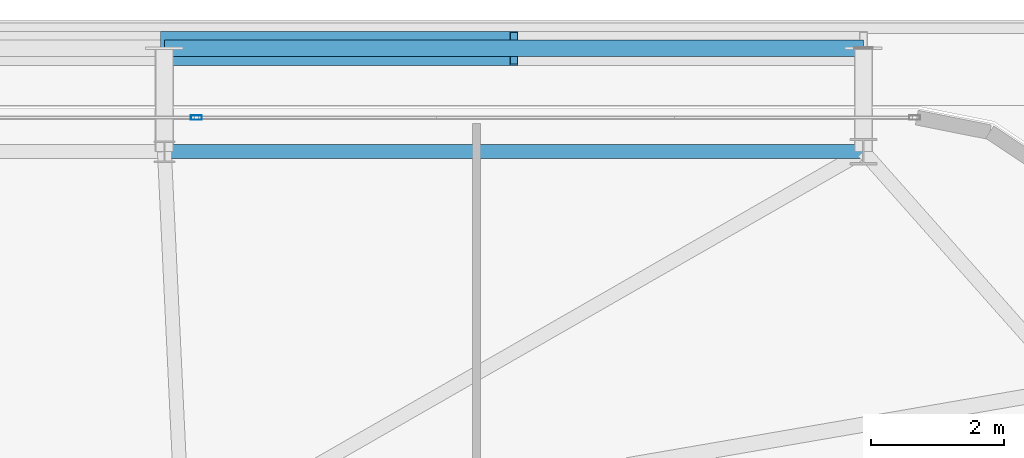
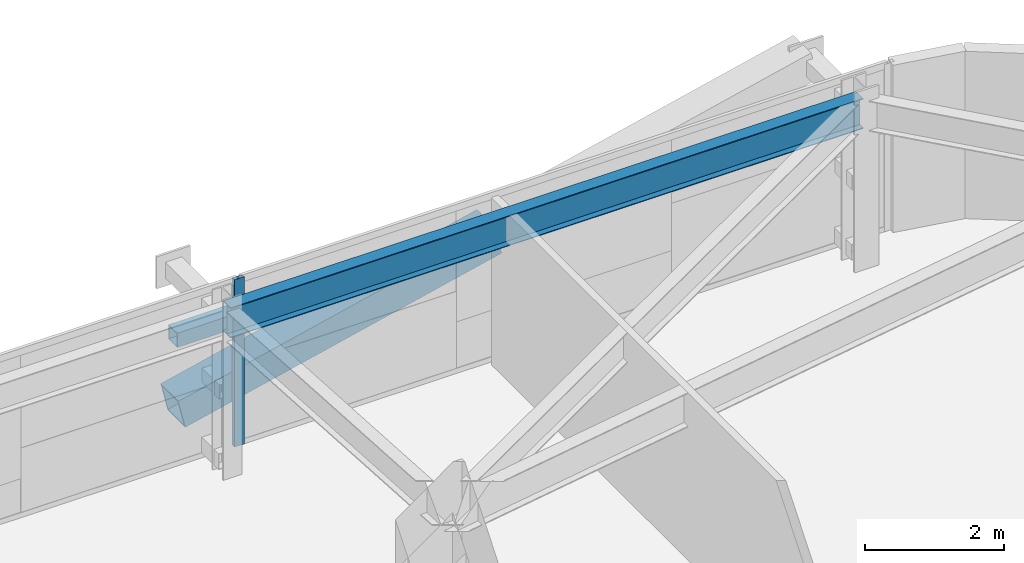
# One storey, part 30 of 56: 3 members, 1 beam, 1 element without a shape of its own.
"""IFC4 building model written with IfcOpenShell, lengths in metres."""

from ifc_helpers import new_model, si_unit, direction, frame, origin, origin_2d, place, context, subcontext, project, spatial, hollow_rectangle, i_section, extrude, source, transform, mapped, material, layer, layer_set, material_profile, profile_set, type_object, element, aggregate, save


model = new_model("IFC4")

# Units and contexts
model_context = context("Model", 3, precision=1e-05, world=origin(), true_north=direction((0.0, 1.0)))
body_context = subcontext(model_context, "Body", "Model", "MODEL_VIEW")
ifc_project = project(units=[si_unit("LENGTHUNIT", "METRE"), si_unit("AREAUNIT", "SQUARE_METRE"), si_unit("VOLUMEUNIT", "CUBIC_METRE"), si_unit("PLANEANGLEUNIT", "RADIAN"), si_unit("MASSUNIT", "GRAM", prefix="KILO")], contexts=[model_context])

# Site, building, storey
site_placement = place(None, origin())
site = spatial("IfcSite", under=ifc_project, at=site_placement, CompositionType="ELEMENT")
building_placement = place(site_placement, origin())
building = spatial("IfcBuilding", under=site, at=building_placement, Name="Taldren Reach Tower", CompositionType="ELEMENT")
storey_placement = place(building_placement, frame((0.0, 0.0, 16.800048828125)))
storey = spatial("IfcBuildingStorey", under=building, at=storey_placement, Name="L04", CompositionType="ELEMENT", Elevation=16.800048828125)

# Beam
ifc_material_1 = material(Name="Steel Gr 350 (350PLUS)", Category="steel")
ifc_material_profile_1 = material_profile(ifc_material_1, i_section(OverallWidth=0.208984375, OverallDepth=0.528076171875, WebThickness=0.009521484375, FlangeThickness=0.01318359375, at=origin_2d()), Name="530UB82.0")
ifc_profile_set_1 = profile_set([ifc_material_profile_1], Name="Steel Gr 350 (350PLUS)")
beam_type = type_object("IfcBeamType", Name="SP-UB530B", PredefinedType="SPANDREL", material=ifc_profile_set_1)
shared_shape_1 = source(origin(), body_context, "Body", "SweptSolid", [
    extrude(i_section(OverallWidth=0.208984375, OverallDepth=0.528076171875, WebThickness=0.009521484375, FlangeThickness=0.01318359375, at=origin_2d()), origin(), (0.0, 0.0, 1.0), 10.47998046875),
])
beam_placement = place(storey_placement, frame((61.199951171875, 37.85009765625, 2.666015625), z_axis=(-1.0, 0.0, 0.0), x_axis=(0.0, -1.0, 0.0)))
element("IfcBeam", 1, at=beam_placement, inside=storey, type_object=beam_type, Name="Perimeter spandrel B1 N6-N5 L04", PredefinedType="SPANDREL", context=body_context, shape_type="MappedRepresentation", body=[
    mapped(shared_shape_1, transform((0.0, 0.0, 0.0), scale=1.0)),
])

# Members
ifc_material_2 = material(Name="Steel Gr 450 (C450L0)", Category="steel")
ifc_material_profile_2 = material_profile(ifc_material_2, hollow_rectangle(XDim=0.510009765625, YDim=0.510009765625, WallThickness=0.02001953125, at=origin_2d()), Name="510x510x20.0SHS")
ifc_profile_set_2 = profile_set([ifc_material_profile_2], Name="Steel Gr 450 (C450L0)")
member_type_1 = type_object("IfcMemberType", Name="MB-EXO508", PredefinedType="BRACE", material=ifc_profile_set_2)
shared_shape_2 = source(origin(), body_context, "Body", "SweptSolid", [
    extrude(hollow_rectangle(XDim=0.510009765625, YDim=0.510009765625, WallThickness=0.02001953125, at=origin_2d()), origin(), (0.0, 0.0, 1.0), 5.37890625),
])
member_1_placement = place(storey_placement, frame((50.719970703125, 39.39990234375, 0.219970703125), z_axis=(0.97415197996, 0.0, 0.225893603143), x_axis=(0.0, 1.0, 0.0)))
element("IfcMember", 2, at=member_1_placement, inside=storey, type_object=member_type_1, Name="Exoskeleton Diagrid Brace B1-N5 L04", PredefinedType="BRACE", context=body_context, shape_type="MappedRepresentation", body=[
    mapped(shared_shape_2, transform((0.0, 0.0, 0.0), scale=1.0)),
])
ifc_material_3 = material(Name="Steel Gr 350 (C350L0)", Category="steel")
ifc_material_profile_3 = material_profile(ifc_material_3, hollow_rectangle(XDim=0.25, YDim=0.25, WallThickness=0.010009765625, at=origin_2d()), Name="250x250x10.0SHS")
ifc_profile_set_3 = profile_set([ifc_material_profile_3], Name="Steel Gr 350 (C350L0)")
member_type_2 = type_object("IfcMemberType", Name="MB-POST250", PredefinedType="POST", material=ifc_profile_set_3)
shared_shape_3 = source(origin(), body_context, "Body", "SweptSolid", [
    extrude(hollow_rectangle(XDim=0.25, YDim=0.25, WallThickness=0.010009765625, at=origin_2d()), origin(), (0.0, 0.0, 1.0), 10.47998046875),
])
member_2_placement = place(storey_placement, frame((50.719970703125, 39.39990234375, 1.43505859375), z_axis=(1.0, 0.0, 0.0), x_axis=(0.0, 1.0, 0.0)))
element("IfcMember", 3, at=member_2_placement, inside=storey, type_object=member_type_2, Name="Exoskeleton mid-height ring chord B1-N5 L04", PredefinedType="POST", context=body_context, shape_type="MappedRepresentation", body=[
    mapped(shared_shape_3, transform((0.0, 0.0, 0.0), scale=1.0)),
])

# Curtain wall, member
ifc_material_4 = material(Name="Aluminium and Low-E Glass Unitised System", Category="aluminium")
ifc_layer = layer(ifc_material_4, 0.159912109375)
ifc_layer_set = layer_set([ifc_layer], Name="Aluminium and Low-E Glass Unitised System")
curtain_wall_type = type_object("IfcCurtainWallType", Name="CW-SYS-2", PredefinedType="NOTDEFINED", material=ifc_layer_set)
curtain_wall_placement = place(storey_placement, origin())
curtain_wall = element("IfcCurtainWall", 4, at=curtain_wall_placement, inside=storey, type_object=curtain_wall_type, Name="Unitised curtain wall CW-L04-N", PredefinedType="NOTDEFINED")
ifc_material_5 = material(Name="Anodised Aluminium 6063-T6", Category="aluminium")
ifc_material_profile_4 = material_profile(ifc_material_5, hollow_rectangle(XDim=0.06494140625, YDim=0.1650390625, WallThickness=0.00390625, at=origin_2d()), Name="ALU-165x65x4RHS")
ifc_profile_set_4 = profile_set([ifc_material_profile_4], Name="Anodised Aluminium 6063-T6")
member_type_3 = type_object("IfcMemberType", Name="CW-MUL-165", PredefinedType="MULLION", material=ifc_profile_set_4)
shared_shape_4 = source(origin(), body_context, "Body", "SweptSolid", [
    extrude(hollow_rectangle(XDim=0.06494140625, YDim=0.1650390625, WallThickness=0.00390625, at=origin_2d()), origin(), (0.0, 0.0, 1.0), 2.929931640625),
])
member_3_placement = place(storey_placement, frame((51.199951171875, 38.360107421875, 0.0), z_axis=(0.0, 0.0, 1.0), x_axis=(0.0, -1.0, 0.0)))
member_3 = element("IfcMember", 5, at=member_3_placement, type_object=member_type_3, Name="CW-2 mullion 2", PredefinedType="MULLION", context=body_context, shape_type="MappedRepresentation", body=[
    mapped(shared_shape_4, transform((0.0, 0.0, 0.0), scale=1.0)),
])
aggregate(curtain_wall, [member_3])

save(model, "model.ifc")
